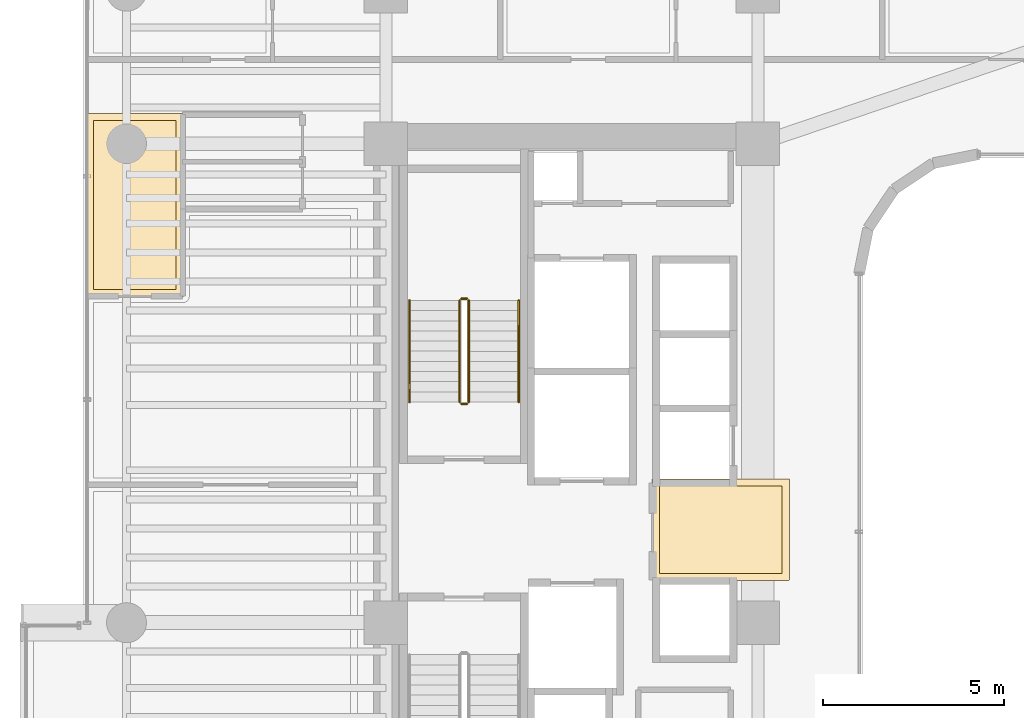
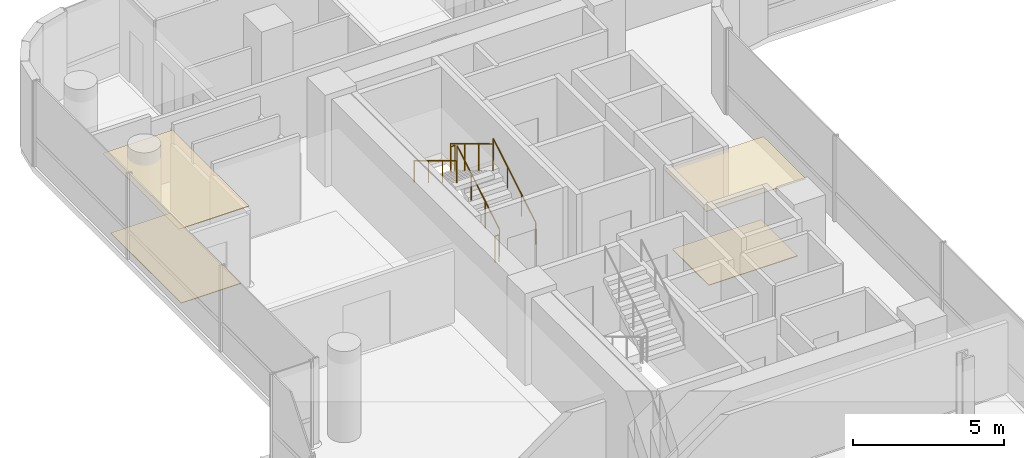
# One storey, part 34 of 37: 6 railings, 4 coverings.
"""IFC4 building model written with IfcOpenShell, lengths in metres."""

from ifc_helpers import new_model, si_unit, direction, frame, origin, origin_2d, place, context, subcontext, project, spatial, polyline, circle, outline, extrude, material, layer, layer_set, type_object, element, save


model = new_model("IFC4")

# Units and contexts
model_context = context("Model", 3, precision=1e-05, world=origin(), true_north=direction((0.0, 1.0)))
body_context = subcontext(model_context, "Body", "Model", "MODEL_VIEW")
ifc_project = project(units=[si_unit("LENGTHUNIT", "METRE"), si_unit("AREAUNIT", "SQUARE_METRE"), si_unit("VOLUMEUNIT", "CUBIC_METRE"), si_unit("PLANEANGLEUNIT", "RADIAN"), si_unit("MASSUNIT", "GRAM", prefix="KILO")], contexts=[model_context])

# Site, building, storey
site_placement = place(None, origin())
site = spatial("IfcSite", under=ifc_project, at=site_placement, CompositionType="ELEMENT")
building_placement = place(site_placement, origin())
building = spatial("IfcBuilding", under=site, at=building_placement, Name="Valdorenza Pilgrim Sanctuary Tower", CompositionType="ELEMENT")
storey_placement = place(building_placement, frame((0.0, 0.0, 127.89990234375)))
storey = spatial("IfcBuildingStorey", under=building, at=storey_placement, Name="L32", CompositionType="ELEMENT", Elevation=127.89990234375)

# Coverings
ifc_material_1 = material(Name="Micro-perforated acoustic mineral ceiling tile", Category="gypsum")
ifc_layer_1 = layer(ifc_material_1, 0.02490234375, Name="Micro-perforated acoustic mineral ceiling tile")
ifc_layer_set_1 = layer_set([ifc_layer_1], Name="Micro-perforated acoustic mineral ceiling tile")
covering_type_1 = type_object("IfcCoveringType", Name="COV-CLG-ACU", PredefinedType="CEILING", material=ifc_layer_set_1)
covering_1_placement = place(storey_placement, frame((0.0, 0.0, 3.16015625)))
element("IfcCovering", 1, at=covering_1_placement, inside=storey, type_object=covering_type_1, Name="L32 Core A Passenger Lift Lobby Acoustic Ceiling", PredefinedType="CEILING", context=body_context, shape_type="SweptSolid", body=[
    extrude(outline(polyline([(-15.31298828125, 1.244384765625), (-15.31298828125, 1.24462890625), (-15.313720703125, 1.24609375), (-15.314208984375, 1.24755859375), (-15.314697265625, 1.2490234375), (-15.31494140625, 1.25048828125), (-15.31494140625, 1.251953125), (-15.31494140625, 1.35009765625), (-15.31494140625, 1.3515625), (-15.314697265625, 1.352783203125), (-15.314453125, 1.3544921875), (-15.31396484375, 1.355712890625), (-15.313232421875, 1.357177734375), (-15.3125, 1.3583984375), (-15.3115234375, 1.359619140625), (-15.310546875, 1.360595703125), (-15.3095703125, 1.361572265625), (-15.308349609375, 1.362548828125), (-15.30712890625, 1.36328125), (-15.3056640625, 1.364013671875), (-15.304443359375, 1.364501953125), (-15.302978515625, 1.36474609375), (-15.301513671875, 1.364990234375), (-15.300048828125, 1.364990234375), (-15.10205078125, 1.364990234375), (-15.1005859375, 1.364990234375), (-15.09912109375, 1.36474609375), (-15.097412109375, 1.3642578125), (-15.09619140625, 1.36376953125), (-15.0947265625, 1.363037109375), (-15.094482421875, 1.363037109375), (-13.185546875, 1.363037109375), (-13.185302734375, 1.363037109375), (-13.183837890625, 1.36376953125), (-13.1826171875, 1.3642578125), (-13.180908203125, 1.36474609375), (-13.179443359375, 1.364990234375), (-13.177978515625, 1.364990234375), (-11.550048828125, 1.364990234375), (-11.548583984375, 1.364990234375), (-11.547119140625, 1.36474609375), (-11.545654296875, 1.364501953125), (-11.544189453125, 1.364013671875), (-11.54296875, 1.36328125), (-11.541748046875, 1.362548828125), (-11.54052734375, 1.361572265625), (-11.539306640625, 1.360595703125), (-11.538330078125, 1.359619140625), (-11.53759765625, 1.3583984375), (-11.536865234375, 1.357177734375), (-11.5361328125, 1.355712890625), (-11.53564453125, 1.3544921875), (-11.535400390625, 1.352783203125), (-11.53515625, 1.3515625), (-11.534912109375, 1.35009765625), (-11.534912109375, -1.419921875), (-11.53515625, -1.42138671875), (-11.535400390625, -1.4228515625), (-11.53564453125, -1.42431640625), (-11.5361328125, -1.42578125), (-11.536865234375, -1.427001953125), (-11.53759765625, -1.42822265625), (-11.538330078125, -1.429443359375), (-11.539306640625, -1.4306640625), (-11.54052734375, -1.431640625), (-11.541748046875, -1.4326171875), (-11.54296875, -1.43310546875), (-11.544189453125, -1.433837890625), (-11.545654296875, -1.434326171875), (-11.547119140625, -1.434814453125), (-11.548583984375, -1.434814453125), (-11.550048828125, -1.43505859375), (-15.298095703125, -1.43505859375), (-15.299560546875, -1.434814453125), (-15.30078125, -1.434814453125), (-15.302490234375, -1.434326171875), (-15.3037109375, -1.433837890625), (-15.30517578125, -1.43310546875), (-15.306396484375, -1.4326171875), (-15.3076171875, -1.431640625), (-15.30859375, -1.4306640625), (-15.3095703125, -1.429443359375), (-15.310546875, -1.42822265625), (-15.311279296875, -1.427001953125), (-15.31201171875, -1.42578125), (-15.3125, -1.42431640625), (-15.312744140625, -1.4228515625), (-15.31298828125, -1.42138671875), (-15.31298828125, -1.419921875), (-15.31298828125, 1.244384765625)])), origin(), (0.0, 0.0, 1.0), 0.02490234375),
])
covering_2_placement = place(storey_placement, frame((0.0, 0.0, 3.16015625)))
element("IfcCovering", 2, at=covering_2_placement, inside=storey, type_object=covering_type_1, Name="L32 Pilgrim Scholar Office L32-1 Acoustic Ceiling", PredefinedType="CEILING", context=body_context, shape_type="SweptSolid", body=[
    extrude(outline(polyline([(-28.237060546875, 8.805419921875), (-28.23681640625, 8.805419921875), (-28.236083984375, 8.803955078125), (-28.235595703125, 8.802490234375), (-28.2353515625, 8.801025390625), (-28.235107421875, 8.799560546875), (-28.235107421875, 8.798095703125), (-28.235107421875, 6.39990234375), (-28.235107421875, 6.3984375), (-28.2353515625, 6.397216796875), (-28.235595703125, 6.3955078125), (-28.236083984375, 6.394287109375), (-28.23681640625, 6.392822265625), (-28.237548828125, 6.3916015625), (-28.23828125, 6.390380859375), (-28.239501953125, 6.389404296875), (-28.240478515625, 6.388427734375), (-28.24169921875, 6.387451171875), (-28.242919921875, 6.38671875), (-28.244384765625, 6.385986328125), (-28.24560546875, 6.385498046875), (-28.2470703125, 6.38525390625), (-28.24853515625, 6.385009765625), (-28.25, 6.385009765625), (-30.889892578125, 6.385009765625), (-30.8916015625, 6.385009765625), (-30.892822265625, 6.38525390625), (-30.894287109375, 6.385498046875), (-30.895751953125, 6.385986328125), (-30.897216796875, 6.38671875), (-30.898193359375, 6.387451171875), (-30.8994140625, 6.388427734375), (-30.900634765625, 6.389404296875), (-30.901611328125, 6.390380859375), (-30.902587890625, 6.3916015625), (-30.9033203125, 6.392822265625), (-30.90380859375, 6.394287109375), (-30.904296875, 6.3955078125), (-30.90478515625, 6.397216796875), (-30.90478515625, 6.3984375), (-30.905029296875, 6.39990234375), (-30.905029296875, 11.419921875), (-30.90478515625, 11.42138671875), (-30.90478515625, 11.4228515625), (-30.904296875, 11.42431640625), (-30.90380859375, 11.42578125), (-30.9033203125, 11.427001953125), (-30.902587890625, 11.42822265625), (-30.901611328125, 11.429443359375), (-30.900634765625, 11.4306640625), (-30.8994140625, 11.431640625), (-30.898193359375, 11.4326171875), (-30.897216796875, 11.43310546875), (-30.895751953125, 11.433837890625), (-30.894287109375, 11.434326171875), (-30.892822265625, 11.434814453125), (-30.8916015625, 11.434814453125), (-30.889892578125, 11.43505859375), (-28.25, 11.43505859375), (-28.24853515625, 11.434814453125), (-28.2470703125, 11.434814453125), (-28.24560546875, 11.434326171875), (-28.244384765625, 11.433837890625), (-28.242919921875, 11.43310546875), (-28.24169921875, 11.4326171875), (-28.240478515625, 11.431640625), (-28.239501953125, 11.4306640625), (-28.23828125, 11.429443359375), (-28.237548828125, 11.42822265625), (-28.23681640625, 11.427001953125), (-28.236083984375, 11.42578125), (-28.235595703125, 11.42431640625), (-28.2353515625, 11.4228515625), (-28.235107421875, 11.42138671875), (-28.235107421875, 11.419921875), (-28.235107421875, 11.402099609375), (-28.235107421875, 11.400390625), (-28.2353515625, 11.39892578125), (-28.235595703125, 11.3974609375), (-28.236083984375, 11.39599609375), (-28.23681640625, 11.394775390625), (-28.237060546875, 11.39453125), (-28.237060546875, 10.103759765625), (-28.23681640625, 10.10302734375), (-28.23681640625, 10.1015625), (-28.23681640625, 10.10009765625), (-28.23681640625, 10.098388671875), (-28.237060546875, 10.09814453125), (-28.237060546875, 8.805419921875)])), origin(), (0.0, 0.0, 1.0), 0.02490234375),
])
ifc_material_2 = material(Name="Honed travertine stone flooring", Category="masonry")
ifc_layer_2 = layer(ifc_material_2, 0.030029296875, Name="Honed travertine stone flooring")
ifc_layer_set_2 = layer_set([ifc_layer_2], Name="Honed travertine stone flooring")
covering_type_2 = type_object("IfcCoveringType", Name="COV-FLR-TRV", PredefinedType="FLOORING", material=ifc_layer_set_2)
covering_3_placement = place(storey_placement, origin())
element("IfcCovering", 3, at=covering_3_placement, inside=storey, type_object=covering_type_2, Name="L32 Core A Passenger Lift Lobby Flooring", PredefinedType="FLOORING", context=body_context, shape_type="SweptSolid", body=[
    extrude(outline(polyline([(-15.117919921875, 1.169189453125), (-15.10888671875, 1.168212890625), (-15.10888671875, 1.168212890625), (-15.10009765625, 1.16796875), (-13.179931640625, 1.16796875), (-13.1796875, 1.16796875), (-11.72998046875, 1.169921875), (-11.72998046875, -1.239990234375), (-15.117919921875, -1.239990234375), (-15.117919921875, 1.169189453125)])), origin(), (0.0, 0.0, 1.0), 0.025146484375),
])
covering_4_placement = place(storey_placement, origin())
element("IfcCovering", 4, at=covering_4_placement, inside=storey, type_object=covering_type_2, Name="L32 Pilgrim Scholar Office L32-1 Flooring", PredefinedType="FLOORING", context=body_context, shape_type="SweptSolid", body=[
    extrude(outline(polyline([(-28.431884765625, 11.239990234375), (-28.431884765625, 10.10205078125), (-28.431884765625, 10.10107421875), (-28.431884765625, 10.100341796875), (-28.431884765625, 10.10009765625), (-28.431884765625, 8.800048828125), (-28.43017578125, 6.580078125), (-30.7099609375, 6.580078125), (-30.7099609375, 11.239990234375), (-28.431884765625, 11.239990234375)])), origin(), (0.0, 0.0, 1.0), 0.025146484375),
])

# Railings
ifc_material_3 = material(Name="Stainless steel Grade 316", Category="steel")
railing_type_1 = type_object("IfcRailingType", Name="RLG-GRD-1120", PredefinedType="GUARDRAIL", material=ifc_material_3)
railing_1_placement = place(storey_placement, frame((-20.3701171875, 3.47998046875, 0.168212890625)))
element("IfcRailing", 5, at=railing_1_placement, inside=storey, type_object=railing_type_1, Name="L32 ST-A1 stair guard 1", PredefinedType="GUARDRAIL", context=body_context, shape_type="SweptSolid", body=[
    extrude(circle(Radius=0.02392578125, at=origin_2d()), frame((0.0, 0.0, 1.076171875), z_axis=(0.0, 0.857242210791, 0.514913383045), x_axis=(-1.0, 0.0, 0.0)), (0.0, 0.0, 1.0), 3.266357421875),
    extrude(circle(Radius=0.02099609375, at=origin_2d()), origin(), (0.0, 0.0, 1.0), 1.052001953125),
    extrude(circle(Radius=0.02099609375, at=origin_2d()), frame((0.0, 0.933349609375, 0.560546875)), (0.0, 0.0, 1.0), 1.052001953125),
    extrude(circle(Radius=0.02099609375, at=origin_2d()), frame((0.0, 1.86669921875, 1.121337890625)), (0.0, 0.0, 1.0), 1.052001953125),
    extrude(circle(Radius=0.02099609375, at=origin_2d()), frame((0.0, 2.800048828125, 1.681884765625)), (0.0, 0.0, 1.0), 1.052001953125),
])
railing_2_placement = place(storey_placement, frame((-20.419921875, 6.330078125, 1.85009765625)))
element("IfcRailing", 6, at=railing_2_placement, inside=storey, type_object=railing_type_1, Name="L32 ST-A1 stair guard 2", PredefinedType="GUARDRAIL", context=body_context, shape_type="SweptSolid", body=[
    extrude(circle(Radius=0.02392578125, at=origin_2d()), frame((0.0, 0.0, 1.076171875), z_axis=(-1.0, 0.0, 0.0), x_axis=(0.0, -1.0, 0.0)), (0.0, 0.0, 1.0), 0.150146484375),
    extrude(circle(Radius=0.02099609375, at=origin_2d()), origin(), (0.0, 0.0, 1.0), 1.052001953125),
    extrude(circle(Radius=0.02099609375, at=origin_2d()), frame((-0.150146484375, 0.0, 0.0)), (0.0, 0.0, 1.0), 1.052001953125),
])
railing_3_placement = place(storey_placement, frame((-20.6201171875, 6.280029296875, 2.018310546875)))
element("IfcRailing", 7, at=railing_3_placement, inside=storey, type_object=railing_type_1, Name="L32 ST-A1 stair guard 3", PredefinedType="GUARDRAIL", context=body_context, shape_type="SweptSolid", body=[
    extrude(circle(Radius=0.02392578125, at=origin_2d()), frame((0.0, 0.0, 1.076171875), z_axis=(0.0, -0.857242210791, 0.514913383045), x_axis=(1.0, 0.0, 0.0)), (0.0, 0.0, 1.0), 3.266357421875),
    extrude(circle(Radius=0.02099609375, at=origin_2d()), origin(), (0.0, 0.0, 1.0), 1.052001953125),
    extrude(circle(Radius=0.02099609375, at=origin_2d()), frame((0.0, -0.933349609375, 0.560546875)), (0.0, 0.0, 1.0), 1.052001953125),
    extrude(circle(Radius=0.02099609375, at=origin_2d()), frame((0.0, -1.86669921875, 1.121337890625)), (0.0, 0.0, 1.0), 1.052001953125),
    extrude(circle(Radius=0.02099609375, at=origin_2d()), frame((0.0, -2.800048828125, 1.681884765625)), (0.0, 0.0, 1.0), 1.052001953125),
])
railing_4_placement = place(storey_placement, frame((-20.419921875, 3.429931640625, 0.0)))
element("IfcRailing", 8, at=railing_4_placement, inside=storey, type_object=railing_type_1, Name="L32 ST-A1 stair guard 4", PredefinedType="GUARDRAIL", context=body_context, shape_type="SweptSolid", body=[
    extrude(circle(Radius=0.02392578125, at=origin_2d()), frame((0.0, 0.0, 1.076171875), z_axis=(-1.0, 0.0, 0.0), x_axis=(0.0, -1.0, 0.0)), (0.0, 0.0, 1.0), 0.150146484375),
    extrude(circle(Radius=0.02099609375, at=origin_2d()), origin(), (0.0, 0.0, 1.0), 1.052001953125),
    extrude(circle(Radius=0.02099609375, at=origin_2d()), frame((-0.150146484375, 0.0, 0.0)), (0.0, 0.0, 1.0), 1.052001953125),
])
ifc_material_4 = material(Name="Brushed stainless steel Grade 316", Category="steel")
railing_type_2 = type_object("IfcRailingType", Name="RLG-HND-920", PredefinedType="HANDRAIL", material=ifc_material_4)
railing_5_placement = place(storey_placement, frame((-18.989990234375, 3.47998046875, 0.168212890625)))
element("IfcRailing", 9, at=railing_5_placement, inside=storey, type_object=railing_type_2, Name="L32 ST-A1 stair handrail 1", PredefinedType="HANDRAIL", context=body_context, shape_type="SweptSolid", body=[
    extrude(circle(Radius=0.02392578125, at=origin_2d()), frame((0.0, 0.0, 0.8759765625), z_axis=(0.0, 0.857242210791, 0.514913383045), x_axis=(-1.0, 0.0, 0.0)), (0.0, 0.0, 1.0), 3.266357421875),
    extrude(circle(Radius=0.02099609375, at=origin_2d()), origin(), (0.0, 0.0, 1.0), 0.851806640625),
    extrude(circle(Radius=0.02099609375, at=origin_2d()), frame((0.0, 0.933349609375, 0.560546875)), (0.0, 0.0, 1.0), 0.851806640625),
    extrude(circle(Radius=0.02099609375, at=origin_2d()), frame((0.0, 1.86669921875, 1.121337890625)), (0.0, 0.0, 1.0), 0.851806640625),
    extrude(circle(Radius=0.02099609375, at=origin_2d()), frame((0.0, 2.800048828125, 1.681884765625)), (0.0, 0.0, 1.0), 0.851806640625),
])
railing_6_placement = place(storey_placement, frame((-22.0, 6.280029296875, 2.018310546875)))
element("IfcRailing", 10, at=railing_6_placement, inside=storey, type_object=railing_type_2, Name="L32 ST-A1 stair handrail 2", PredefinedType="HANDRAIL", context=body_context, shape_type="SweptSolid", body=[
    extrude(circle(Radius=0.02392578125, at=origin_2d()), frame((0.0, 0.0, 0.8759765625), z_axis=(0.0, -0.857242210791, 0.514913383045), x_axis=(1.0, 0.0, 0.0)), (0.0, 0.0, 1.0), 3.266357421875),
    extrude(circle(Radius=0.02099609375, at=origin_2d()), origin(), (0.0, 0.0, 1.0), 0.851806640625),
    extrude(circle(Radius=0.02099609375, at=origin_2d()), frame((0.0, -0.933349609375, 0.560546875)), (0.0, 0.0, 1.0), 0.851806640625),
    extrude(circle(Radius=0.02099609375, at=origin_2d()), frame((0.0, -1.86669921875, 1.121337890625)), (0.0, 0.0, 1.0), 0.851806640625),
    extrude(circle(Radius=0.02099609375, at=origin_2d()), frame((0.0, -2.800048828125, 1.681884765625)), (0.0, 0.0, 1.0), 0.851806640625),
])

save(model, "model.ifc")
